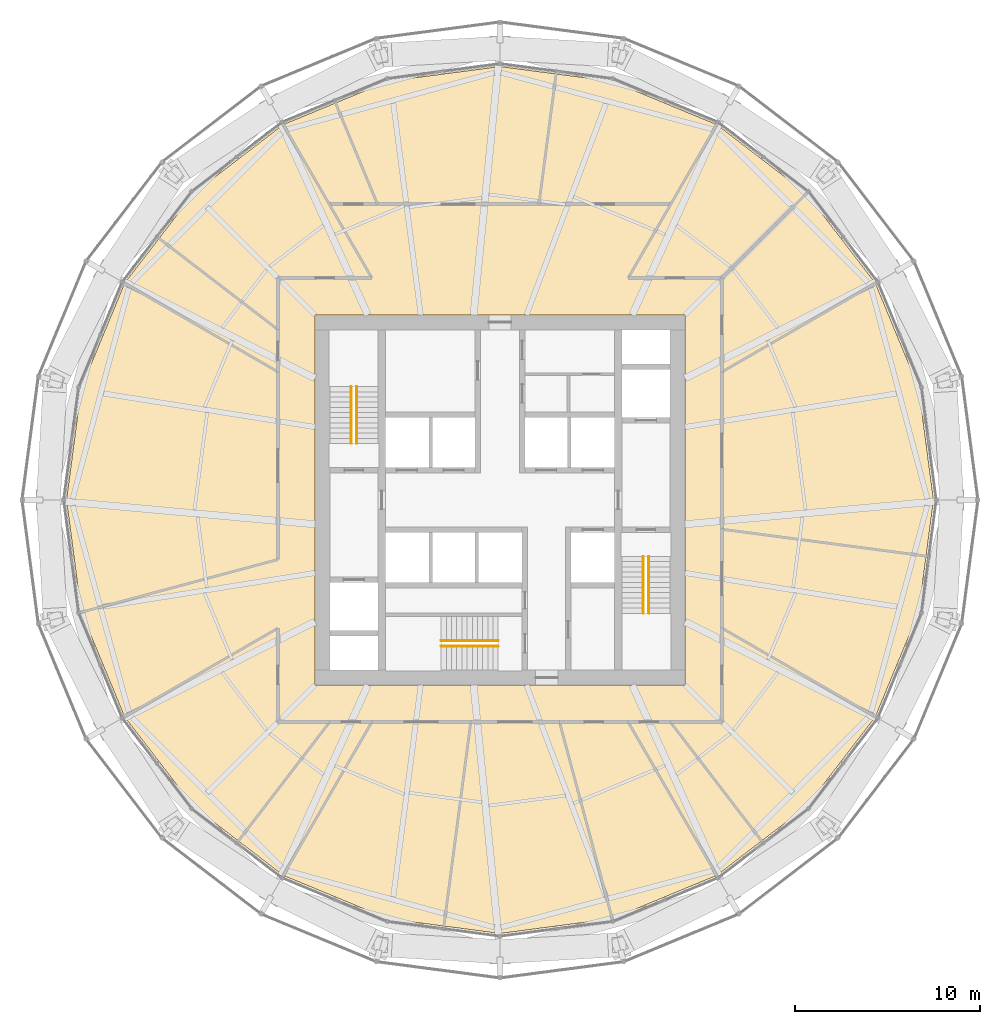
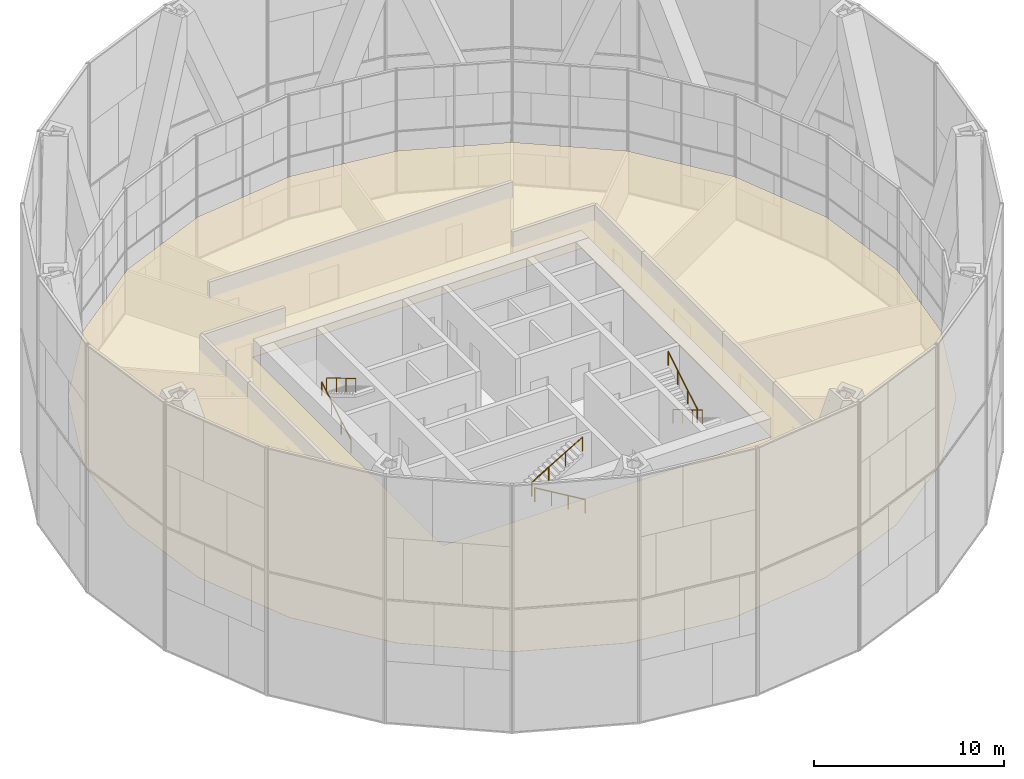
# One storey, part 22 of 22: 6 railings, 1 covering.
"""IFC4 building model written with IfcOpenShell, lengths in metres."""

from ifc_helpers import new_model, si_unit, direction, frame, origin, origin_2d, place, context, subcontext, project, spatial, polyline, circle, outline, extrude, material, layer, layer_set, type_object, element, save


model = new_model("IFC4")

# Units and contexts
model_context = context("Model", 3, precision=1e-05, world=origin(), true_north=direction((0.0, 1.0)))
body_context = subcontext(model_context, "Body", "Model", "MODEL_VIEW")
ifc_project = project(units=[si_unit("LENGTHUNIT", "METRE"), si_unit("AREAUNIT", "SQUARE_METRE"), si_unit("VOLUMEUNIT", "CUBIC_METRE"), si_unit("PLANEANGLEUNIT", "RADIAN"), si_unit("MASSUNIT", "GRAM", prefix="KILO")], contexts=[model_context])

# Site, building, storey
site_placement = place(None, origin())
site = spatial("IfcSite", under=ifc_project, at=site_placement, CompositionType="ELEMENT")
building_placement = place(site_placement, origin())
building = spatial("IfcBuilding", under=site, at=building_placement, Name="Golbaran Civic Tower", CompositionType="ELEMENT")
storey_placement = place(building_placement, frame((0.0, 0.0, 53.0)))
storey = spatial("IfcBuildingStorey", under=building, at=storey_placement, Name="L12", CompositionType="ELEMENT", Elevation=53.0)

# Railings
ifc_material_1 = material(Name="Stainless steel", Category="steel")
railing_type = type_object("IfcRailingType", Name="STAIR HANDRAIL 900", PredefinedType="HANDRAIL", material=ifc_material_1)
railing_1_placement = place(storey_placement, frame((-8.050048828125, 3.050048828125, 0.166748046875)))
element("IfcRailing", 1, at=railing_1_placement, inside=storey, type_object=railing_type, Name="Stair S1 handrail flight 1 L12", PredefinedType="HANDRAIL", context=body_context, shape_type="SweptSolid", body=[
    extrude(circle(Radius=0.02392578125, at=origin_2d()), frame((0.0, 0.0, 0.8759765625), z_axis=(0.0, 0.859290745958, 0.51148745235), x_axis=(-1.0, 0.0, 0.0)), (0.0, 0.0, 1.0), 3.584228515625),
    extrude(circle(Radius=0.02099609375, at=origin_2d()), origin(), (0.0, 0.0, 1.0), 0.851806640625),
    extrude(circle(Radius=0.02099609375, at=origin_2d()), frame((0.0, 1.026611328125, 0.611083984375)), (0.0, 0.0, 1.0), 0.851806640625),
    extrude(circle(Radius=0.02099609375, at=origin_2d()), frame((0.0, 2.05322265625, 1.22216796875)), (0.0, 0.0, 1.0), 0.851806640625),
    extrude(circle(Radius=0.02099609375, at=origin_2d()), frame((0.0, 3.079833984375, 1.833251953125)), (0.0, 0.0, 1.0), 0.851806640625),
])
for number, where, name in (
    (2, (-7.75, 6.1298828125, 2.166748046875), "Stair S1 handrail flight 2 L12"),
    (3, (8.050048828125, -3.050048828125, 0.166748046875), "Stair S2 handrail flight 1 L12"),
):
    element("IfcRailing", number, at=place(storey_placement, frame(where)), inside=storey, type_object=railing_type, Name=name, PredefinedType="HANDRAIL", context=body_context, shape_type="SweptSolid", body=[
        extrude(circle(Radius=0.02392578125, at=origin_2d()), frame((0.0, 0.0, 0.8759765625), z_axis=(0.0, -0.859290745958, 0.51148745235), x_axis=(1.0, 0.0, 0.0)), (0.0, 0.0, 1.0), 3.584228515625),
        extrude(circle(Radius=0.02099609375, at=origin_2d()), origin(), (0.0, 0.0, 1.0), 0.851806640625),
        extrude(circle(Radius=0.02099609375, at=origin_2d()), frame((0.0, -1.026611328125, 0.611083984375)), (0.0, 0.0, 1.0), 0.851806640625),
        extrude(circle(Radius=0.02099609375, at=origin_2d()), frame((0.0, -2.05322265625, 1.22216796875)), (0.0, 0.0, 1.0), 0.851806640625),
        extrude(circle(Radius=0.02099609375, at=origin_2d()), frame((0.0, -3.079833984375, 1.833251953125)), (0.0, 0.0, 1.0), 0.851806640625),
    ])
railing_2_placement = place(storey_placement, frame((7.75, -6.1298828125, 2.166748046875)))
element("IfcRailing", 4, at=railing_2_placement, inside=storey, type_object=railing_type, Name="Stair S2 handrail flight 2 L12", PredefinedType="HANDRAIL", context=body_context, shape_type="SweptSolid", body=[
    extrude(circle(Radius=0.02392578125, at=origin_2d()), frame((0.0, 0.0, 0.8759765625), z_axis=(0.0, 0.859290745958, 0.51148745235), x_axis=(-1.0, 0.0, 0.0)), (0.0, 0.0, 1.0), 3.584228515625),
    extrude(circle(Radius=0.02099609375, at=origin_2d()), origin(), (0.0, 0.0, 1.0), 0.851806640625),
    extrude(circle(Radius=0.02099609375, at=origin_2d()), frame((0.0, 1.026611328125, 0.611083984375)), (0.0, 0.0, 1.0), 0.851806640625),
    extrude(circle(Radius=0.02099609375, at=origin_2d()), frame((0.0, 2.05322265625, 1.22216796875)), (0.0, 0.0, 1.0), 0.851806640625),
    extrude(circle(Radius=0.02099609375, at=origin_2d()), frame((0.0, 3.079833984375, 1.833251953125)), (0.0, 0.0, 1.0), 0.851806640625),
])
railing_3_placement = place(storey_placement, frame((-0.10009765625, -7.89990234375, 0.166748046875)))
element("IfcRailing", 5, at=railing_3_placement, inside=storey, type_object=railing_type, Name="Stair S3 handrail flight 1 L12", PredefinedType="HANDRAIL", context=body_context, shape_type="SweptSolid", body=[
    extrude(circle(Radius=0.02392578125, at=origin_2d()), frame((0.0, 0.0, 0.8759765625), z_axis=(-0.859290745958, 0.0, 0.51148745235), x_axis=(0.0, -1.0, 0.0)), (0.0, 0.0, 1.0), 3.584228515625),
    extrude(circle(Radius=0.02099609375, at=origin_2d()), origin(), (0.0, 0.0, 1.0), 0.851806640625),
    extrude(circle(Radius=0.02099609375, at=origin_2d()), frame((-1.026611328125, 0.0, 0.611083984375)), (0.0, 0.0, 1.0), 0.851806640625),
    extrude(circle(Radius=0.02099609375, at=origin_2d()), frame((-2.05322265625, 0.0, 1.22216796875)), (0.0, 0.0, 1.0), 0.851806640625),
    extrude(circle(Radius=0.02099609375, at=origin_2d()), frame((-3.079833984375, 0.0, 1.833251953125)), (0.0, 0.0, 1.0), 0.851806640625),
])
railing_4_placement = place(storey_placement, frame((-3.179931640625, -7.60009765625, 2.166748046875)))
element("IfcRailing", 6, at=railing_4_placement, inside=storey, type_object=railing_type, Name="Stair S3 handrail flight 2 L12", PredefinedType="HANDRAIL", context=body_context, shape_type="SweptSolid", body=[
    extrude(circle(Radius=0.02392578125, at=origin_2d()), frame((0.0, 0.0, 0.8759765625), z_axis=(0.859290745958, 0.0, 0.51148745235), x_axis=(0.0, 1.0, 0.0)), (0.0, 0.0, 1.0), 3.584228515625),
    extrude(circle(Radius=0.02099609375, at=origin_2d()), origin(), (0.0, 0.0, 1.0), 0.851806640625),
    extrude(circle(Radius=0.02099609375, at=origin_2d()), frame((1.026611328125, 0.0, 0.611083984375)), (0.0, 0.0, 1.0), 0.851806640625),
    extrude(circle(Radius=0.02099609375, at=origin_2d()), frame((2.05322265625, 0.0, 1.22216796875)), (0.0, 0.0, 1.0), 0.851806640625),
    extrude(circle(Radius=0.02099609375, at=origin_2d()), frame((3.079833984375, 0.0, 1.833251953125)), (0.0, 0.0, 1.0), 0.851806640625),
])

# Covering
ifc_material_2 = material(Name="Mineral fibre tile on steel grid", Category="steel")
ifc_layer = layer(ifc_material_2, 0.02001953125, Name="Mineral fibre tile on steel grid")
ifc_layer_set = layer_set([ifc_layer], Name="Mineral fibre tile on steel grid")
covering_type = type_object("IfcCoveringType", Name="SUSPENDED CEILING 600 TILE 20", PredefinedType="CEILING", material=ifc_layer_set)
covering_placement = place(storey_placement, frame((0.0, 0.0, 2.800048828125)))
element("IfcCovering", 7, at=covering_placement, inside=storey, type_object=covering_type, Name="Suspended ceiling L12", PredefinedType="CEILING", context=body_context, shape_type="SweptSolid", body=[
    extrude(outline(polyline([(-20.29541015625, 11.717529296875), (-16.571044921875, 16.571044921875), (-11.717529296875, 20.29541015625), (-6.0654296875, 22.636474609375), (0.0, 23.43505859375), (6.0654296875, 22.636474609375), (11.717529296875, 20.29541015625), (16.571044921875, 16.571044921875), (20.29541015625, 11.717529296875), (22.636474609375, 6.0654296875), (23.43505859375, 0.0), (22.636474609375, -6.0654296875), (20.29541015625, -11.717529296875), (16.571044921875, -16.571044921875), (11.717529296875, -20.29541015625), (6.0654296875, -22.636474609375), (0.0, -23.43505859375), (-6.0654296875, -22.636474609375), (-11.717529296875, -20.29541015625), (-16.571044921875, -16.571044921875), (-20.29541015625, -11.717529296875), (-22.636474609375, -6.0654296875), (-23.43505859375, 0.0), (-22.636474609375, 6.0654296875), (-20.29541015625, 11.717529296875)]), holes=[polyline([(10.0, 10.0), (-10.0, 10.0), (-10.0, -10.0), (10.0, -10.0), (10.0, 10.0)])]), origin(), (0.0, 0.0, 1.0), 0.02001953125),
])

save(model, "model.ifc")
